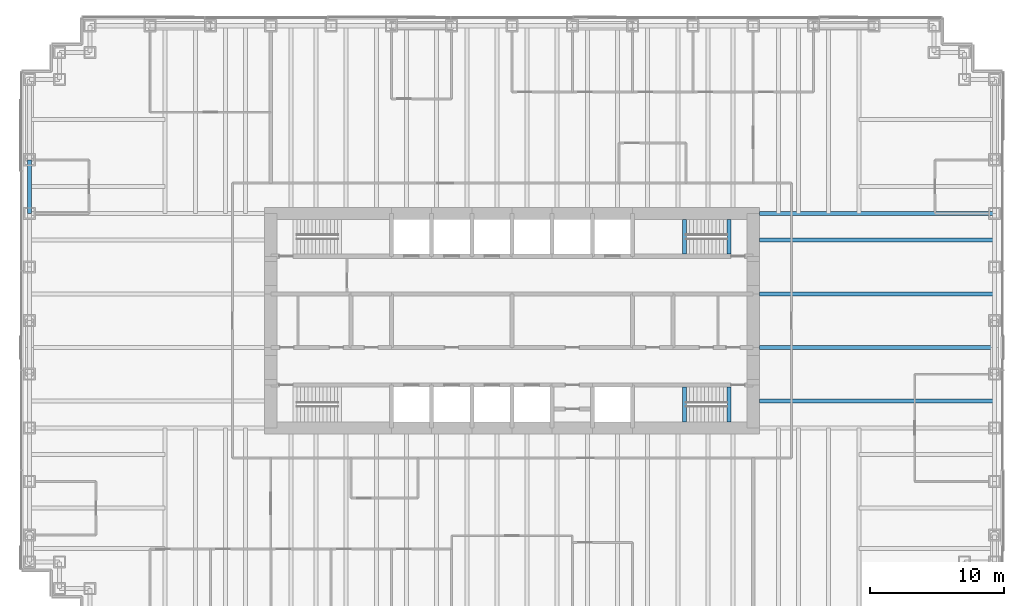
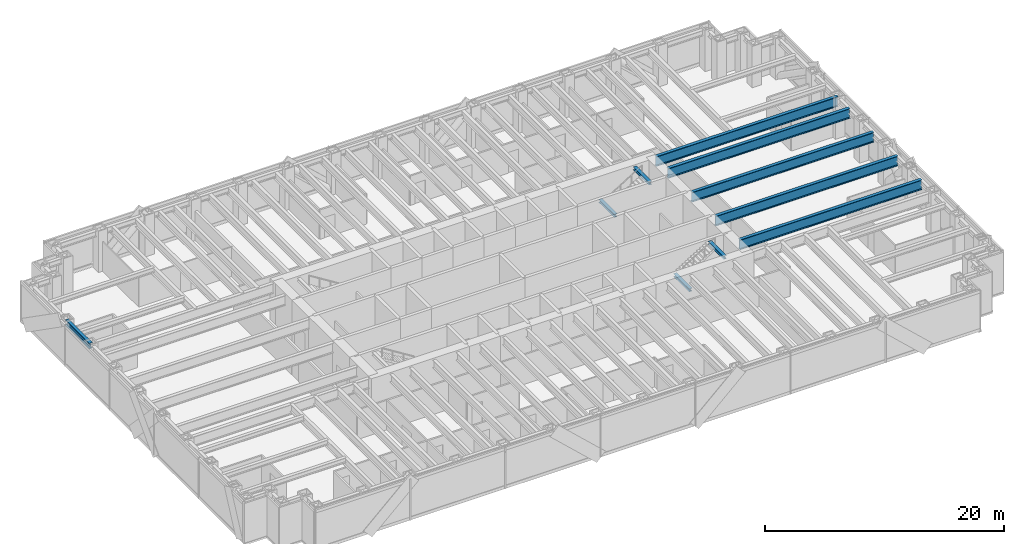
# One storey, part 5 of 17: 10 beams.
"""IFC4 building model written with IfcOpenShell, lengths in metres."""

import ifcopenshell
import ifcopenshell.guid

model = None  # the IFC model being written
_history = None  # IfcOwnerHistory: only IFC2X3 demands one
_inside = {}  # id of a spatial element -> (the spatial element, [elements in it])
_under = {}  # id of a project, library or spatial element -> (it, [spatial elements below it])
_declared = {}  # id of a project -> (the project, [libraries it declares])
_typed = {}  # id of a type object -> (the type object, [elements of that type])
_made_of = {}  # id of a material, layer set ... -> (it, [elements and type objects made of it])


def new_model(schema):
    """Start an empty IFC model of exactly this schema.

    Asked for "IFC4X3", IfcOpenShell would pick the latest addendum, in which some entities
    have other attributes; the version numbers below select the first issue.
    IFC2X3 requires an IfcOwnerHistory on every rooted entity: one is made here for all.
    """
    global model, _history
    if schema == "IFC4X3":
        model = ifcopenshell.file(schema_version=(4, 3, 0, 0))
    else:
        model = ifcopenshell.file(schema=schema)
    _inside.clear()
    _under.clear()
    _declared.clear()
    _typed.clear()
    _made_of.clear()
    _history = None
    if model.schema == "IFC2X3":
        org = make("IfcOrganization", Name="unknown")
        user = make(
            "IfcPersonAndOrganization",
            ThePerson=make("IfcPerson", FamilyName="unknown"),
            TheOrganization=org,
        )
        app = make(
            "IfcApplication",
            ApplicationDeveloper=org,
            Version="unknown",
            ApplicationFullName="unknown",
            ApplicationIdentifier="unknown",
        )
        _history = make(
            "IfcOwnerHistory",
            OwningUser=user,
            OwningApplication=app,
            ChangeAction="ADDED",
            CreationDate=0,
        )
    return model


def make(cls, **values):
    """One entity of the class cls with the attributes given. An attribute that is None is left unset."""
    return model.create_entity(
        cls, **{name: value for name, value in values.items() if value is not None}
    )


def rooted(cls, **values):
    """An entity with a GlobalId (a new one), such as an element, a storey or a relation."""
    return make(cls, GlobalId=ifcopenshell.guid.new(), OwnerHistory=_history, **values)


def si_unit(unit_type, name, prefix=None):
    """IfcSIUnit, for example si_unit("LENGTHUNIT", "METRE", prefix="MILLI")."""
    return make("IfcSIUnit", UnitType=unit_type, Prefix=prefix, Name=name)


def assignment(units):
    """IfcUnitAssignment: the units of a project."""
    return None if units is None else make("IfcUnitAssignment", Units=units)


def point(xyz):
    """IfcCartesianPoint."""
    return None if xyz is None else make("IfcCartesianPoint", Coordinates=xyz)


def direction(xyz):
    """IfcDirection."""
    return None if xyz is None else make("IfcDirection", DirectionRatios=xyz)


def frame(location, z_axis=None, x_axis=None):
    """IfcAxis2Placement3D, a coordinate frame: its origin and axes. An axis left out is left unset."""
    return make(
        "IfcAxis2Placement3D",
        Location=point(location),
        Axis=direction(z_axis),
        RefDirection=direction(x_axis),
    )


def frame_2d(location, x_axis=None):
    """IfcAxis2Placement2D, a coordinate frame in the plane: its origin and x axis."""
    return make(
        "IfcAxis2Placement2D", Location=point(location), RefDirection=direction(x_axis)
    )


def origin():
    """The frame at (0, 0, 0) with its axes left unset."""
    return frame((0.0, 0.0, 0.0))


def origin_2d():
    """The frame at (0, 0) in the plane with its x axis left unset."""
    return frame_2d((0.0, 0.0))


def place(relative_to, where):
    """IfcLocalPlacement: puts the frame where relative to a parent placement (None: the world)."""
    return make(
        "IfcLocalPlacement", PlacementRelTo=relative_to, RelativePlacement=where
    )


def context(
    kind, dimensions, precision=None, world=None, true_north=None, identifier=None
):
    """IfcGeometricRepresentationContext, for example the 3D "Model" context."""
    return make(
        "IfcGeometricRepresentationContext",
        ContextIdentifier=identifier,
        ContextType=kind,
        CoordinateSpaceDimension=dimensions,
        Precision=precision,
        WorldCoordinateSystem=world,
        TrueNorth=true_north,
    )


def subcontext(parent, identifier, kind, view, scale=None):
    """IfcGeometricRepresentationSubContext, for example "Body" below "Model"."""
    return make(
        "IfcGeometricRepresentationSubContext",
        ContextIdentifier=identifier,
        ContextType=kind,
        ParentContext=parent,
        TargetScale=scale,
        TargetView=view,
    )


def project(units=None, contexts=None):
    """IfcProject with its units and contexts."""
    return rooted(
        "IfcProject",
        Name="project",
        RepresentationContexts=contexts,
        UnitsInContext=assignment(units),
    )


def spatial(cls, under=None, at=None, **own):
    """A site, building, storey or space (cls), placed at a placement, below another one or the project."""
    s = rooted(cls, ObjectPlacement=at, **own)
    if under is not None:
        _under.setdefault(under.id(), (under, []))[1].append(s)
    return s


def profile(cls, at=None, kind="AREA", **sizes):
    """A parametric profile (cls). Its sizes go by their IFC names, for example OverallWidth=200.0."""
    return make(cls, ProfileType=kind, Position=at, **sizes)


def i_section(**sizes):
    """IfcIShapeProfileDef."""
    return profile("IfcIShapeProfileDef", **sizes)


def extrude(swept, where, along, depth):
    """IfcExtrudedAreaSolid: the profile swept, set in the frame where, extruded along a direction by depth."""
    return make(
        "IfcExtrudedAreaSolid",
        SweptArea=swept,
        Position=where,
        ExtrudedDirection=direction(along),
        Depth=depth,
    )


def shape(context_of_items, identifier, shape_type, items):
    """IfcShapeRepresentation: the items that make up one representation, for example the "Body"."""
    return make(
        "IfcShapeRepresentation",
        ContextOfItems=context_of_items,
        RepresentationIdentifier=identifier,
        RepresentationType=shape_type,
        Items=items,
    )


def material(Name=None, Category=None):
    """IfcMaterial."""
    return make("IfcMaterial", Name=Name, Category=Category)


def material_profile(
    of_material, cross_section, Name=None, Category=None, Priority=None
):
    """IfcMaterialProfile: a cross section and its material."""
    return make(
        "IfcMaterialProfile",
        Name=Name,
        Material=of_material,
        Profile=cross_section,
        Priority=Priority,
        Category=Category,
    )


def profile_set(profiles, Name=None, composite=None):
    """IfcMaterialProfileSet."""
    return make(
        "IfcMaterialProfileSet",
        Name=Name,
        MaterialProfiles=profiles,
        CompositeProfile=composite,
    )


def made_of(thing, what):
    """Note that an element or type object is made of a material, layer set ...; save() writes the relation."""
    if what is not None:
        _made_of.setdefault(what.id(), (what, []))[1].append(thing)
    return thing


def type_object(cls, material=None, **own):
    """A type object (cls), such as IfcWallType, which elements share."""
    return made_of(rooted(cls, **own), material)


def element(
    cls,
    number,
    at=None,
    inside=None,
    cuts=None,
    type_object=None,
    material=None,
    context=None,
    identifier="Body",
    shape_type=None,
    held_by="IfcProductDefinitionShape",
    body=None,
    shapes=None,
    **own,
):
    """One element of the class cls, such as IfcWall. Its Tag is "e" and its number.

    at: its placement. inside: the storey or other place that contains it. cuts: it is an
    opening in that element (IfcRelVoidsElement). A single representation is given by context,
    identifier, shape_type and body (its items); several are given by shapes. held_by: the class
    of the entity that holds the representations. save() writes the other relations.
    """
    e = rooted(cls, Tag="e%d" % number, ObjectPlacement=at, **own)
    if body is not None:
        shapes = [shape(context, identifier, shape_type, body)]
    if shapes is not None:
        e.Representation = make(held_by, Representations=shapes)
    if inside is not None:
        _inside.setdefault(inside.id(), (inside, []))[1].append(e)
    if cuts is not None:
        rooted(
            "IfcRelVoidsElement", RelatingBuildingElement=cuts, RelatedOpeningElement=e
        )
    if type_object is not None:
        _typed.setdefault(type_object.id(), (type_object, []))[1].append(e)
    return made_of(e, material)


def aggregate(whole, parts):
    """IfcRelAggregates: a whole, such as a stair, and the parts it consists of."""
    return rooted("IfcRelAggregates", RelatingObject=whole, RelatedObjects=parts)


def save(model, path):
    """Write the relations noted so far, then the file.

    IfcRelAggregates (storeys below a building ...), IfcRelContainedInSpatialStructure (elements
    in a storey), IfcRelDefinesByType, IfcRelAssociatesMaterial and IfcRelDeclares: one each for
    every whole, place, type object, material and project.
    """
    for whole, parts in _under.values():
        aggregate(whole, parts)
    for where, things in _inside.values():
        rooted(
            "IfcRelContainedInSpatialStructure",
            RelatedElements=things,
            RelatingStructure=where,
        )
    for kind, things in _typed.values():
        rooted("IfcRelDefinesByType", RelatedObjects=things, RelatingType=kind)
    for what, things in _made_of.values():
        rooted("IfcRelAssociatesMaterial", RelatedObjects=things, RelatingMaterial=what)
    for by, libraries in _declared.values():
        rooted("IfcRelDeclares", RelatingContext=by, RelatedDefinitions=libraries)
    model.write(path)


model = new_model("IFC4")

# Units and contexts
model_context = context("Model", 3, precision=1e-05, world=origin(), true_north=direction((0.0, 1.0)))
body_context = subcontext(model_context, "Body", "Model", "MODEL_VIEW")
ifc_project = project(units=[si_unit("LENGTHUNIT", "METRE"), si_unit("AREAUNIT", "SQUARE_METRE"), si_unit("VOLUMEUNIT", "CUBIC_METRE"), si_unit("PLANEANGLEUNIT", "RADIAN"), si_unit("MASSUNIT", "GRAM", prefix="KILO")], contexts=[model_context])

# Site, building, storey
site_placement = place(None, origin())
site = spatial("IfcSite", under=ifc_project, at=site_placement, CompositionType="ELEMENT")
building_placement = place(site_placement, origin())
building = spatial("IfcBuilding", under=site, at=building_placement, Name="Rheinbord Bourse Tower", CompositionType="ELEMENT")
storey_placement = place(building_placement, frame((0.0, 0.0, 159.300048828125)))
storey = spatial("IfcBuildingStorey", under=building, at=storey_placement, Name="L35", CompositionType="ELEMENT", Elevation=159.300048828125)

# Beams
ifc_material_1 = material(Name="Steel S460", Category="steel")
ifc_material_profile_1 = material_profile(ifc_material_1, i_section(OverallWidth=0.302001953125, OverallDepth=1.008056640625, WebThickness=0.02099609375, FlangeThickness=0.0400390625, at=origin_2d()), Name="HEM 1000")
ifc_profile_set_1 = profile_set([ifc_material_profile_1], Name="Steel S460")
beam_type_1 = type_object("IfcBeamType", Name="END BEAM HEM 1000", PredefinedType="BEAM", material=ifc_profile_set_1)
for number, where, z_axis, x_axis, name in (
    (1, (54.449951171875, 18.0, 3.535888671875), (1.0, 0.0, 0.0), (0.0, 1.0, 0.0), "End beam east 18 L36"),
    (2, (54.449951171875, 22.0, 3.535888671875), (1.0, 0.0, 0.0), (0.0, 1.0, 0.0), "End beam east 22 L36"),
    (3, (54.449951171875, 26.0, 3.535888671875), (1.0, 0.0, 0.0), (0.0, 1.0, 0.0), "End beam east 26 L36"),
    (4, (54.449951171875, 30.0, 3.535888671875), (1.0, 0.0, 0.0), (0.0, 1.0, 0.0), "End beam east 30 L36"),
):
    element("IfcBeam", number, at=place(storey_placement, frame(where, z_axis=z_axis, x_axis=x_axis)), inside=storey, type_object=beam_type_1, Name=name, PredefinedType="BEAM", context=body_context, shape_type="SweptSolid", body=[
        extrude(i_section(OverallWidth=0.302001953125, OverallDepth=1.008056640625, WebThickness=0.02099609375, FlangeThickness=0.0400390625, at=origin_2d()), origin(), (0.0, 0.0, 1.0), 17.550048828125),
    ])
ifc_material_2 = material(Name="Steel S460", Category="steel")
ifc_material_profile_2 = material_profile(ifc_material_2, i_section(OverallWidth=0.302001953125, OverallDepth=1.008056640625, WebThickness=0.02099609375, FlangeThickness=0.0400390625, at=origin_2d()), Name="HEM 1000")
ifc_profile_set_2 = profile_set([ifc_material_profile_2], Name="Steel S460")
beam_type_2 = type_object("IfcBeamType", Name="GIRDER HEM 1000", PredefinedType="BEAM", material=ifc_profile_set_2)
beam_1_placement = place(storey_placement, frame((54.449951171875, 32.0, 3.535888671875), z_axis=(1.0, 0.0, 0.0), x_axis=(0.0, 1.0, 0.0)))
element("IfcBeam", 5, at=beam_1_placement, inside=storey, type_object=beam_type_2, Name="Girder east 32 L36", PredefinedType="BEAM", context=body_context, shape_type="SweptSolid", body=[
    extrude(i_section(OverallWidth=0.302001953125, OverallDepth=1.008056640625, WebThickness=0.02099609375, FlangeThickness=0.0400390625, at=origin_2d()), origin(), (0.0, 0.0, 1.0), 17.550048828125),
])
ifc_material_3 = material(Name="Steel S460", Category="steel")
ifc_material_profile_3 = material_profile(ifc_material_3, i_section(OverallWidth=0.300048828125, OverallDepth=0.300048828125, WebThickness=0.010986328125, FlangeThickness=0.01904296875, at=origin_2d()), Name="HEB 300")
ifc_profile_set_3 = profile_set([ifc_material_profile_3], Name="Steel S460")
beam_type_3 = type_object("IfcBeamType", Name="LANDING TRIMMER HEB 300", PredefinedType="BEAM", material=ifc_profile_set_3)
for number, where, z_axis, x_axis, name in (
    (6, (48.8701171875, 16.449951171875, 1.75), (0.0, 1.0, 0.0), (-1.0, 0.0, 0.0), "Landing trimmer ST3 L35"),
    (7, (52.199951171875, 16.449951171875, 3.889892578125), (0.0, 1.0, 0.0), (-1.0, 0.0, 0.0), "Well trimmer ST3 under L36"),
    (8, (48.8701171875, 28.949951171875, 1.75), (0.0, 1.0, 0.0), (-1.0, 0.0, 0.0), "Landing trimmer ST4 L35"),
    (9, (52.199951171875, 28.949951171875, 3.889892578125), (0.0, 1.0, 0.0), (-1.0, 0.0, 0.0), "Well trimmer ST4 under L36"),
):
    element("IfcBeam", number, at=place(storey_placement, frame(where, z_axis=z_axis, x_axis=x_axis)), inside=storey, type_object=beam_type_3, Name=name, PredefinedType="BEAM", context=body_context, shape_type="SweptSolid", body=[
        extrude(i_section(OverallWidth=0.300048828125, OverallDepth=0.300048828125, WebThickness=0.010986328125, FlangeThickness=0.01904296875, at=origin_2d()), origin(), (0.0, 0.0, 1.0), 2.60009765625),
    ])
ifc_material_4 = material(Name="Steel S460", Category="steel")
ifc_material_profile_4 = material_profile(ifc_material_4, i_section(OverallWidth=0.305908203125, OverallDepth=0.572021484375, WebThickness=0.02099609375, FlangeThickness=0.0400390625, at=origin_2d()), Name="HEM 550")
ifc_profile_set_4 = profile_set([ifc_material_profile_4], Name="Steel S460")
beam_type_4 = type_object("IfcBeamType", Name="SPANDREL HEM 550", PredefinedType="SPANDREL", material=ifc_profile_set_4)
beam_2_placement = place(storey_placement, frame((0.0, 36.0, 3.75390625), z_axis=(0.0, -1.0, 0.0), x_axis=(1.0, 0.0, 0.0)))
element("IfcBeam", 10, at=beam_2_placement, inside=storey, type_object=beam_type_4, Name="Spandrel W-36-W-32 under L36", PredefinedType="SPANDREL", context=body_context, shape_type="SweptSolid", body=[
    extrude(i_section(OverallWidth=0.305908203125, OverallDepth=0.572021484375, WebThickness=0.02099609375, FlangeThickness=0.0400390625, at=origin_2d()), origin(), (0.0, 0.0, 1.0), 4.0),
])

save(model, "model.ifc")
